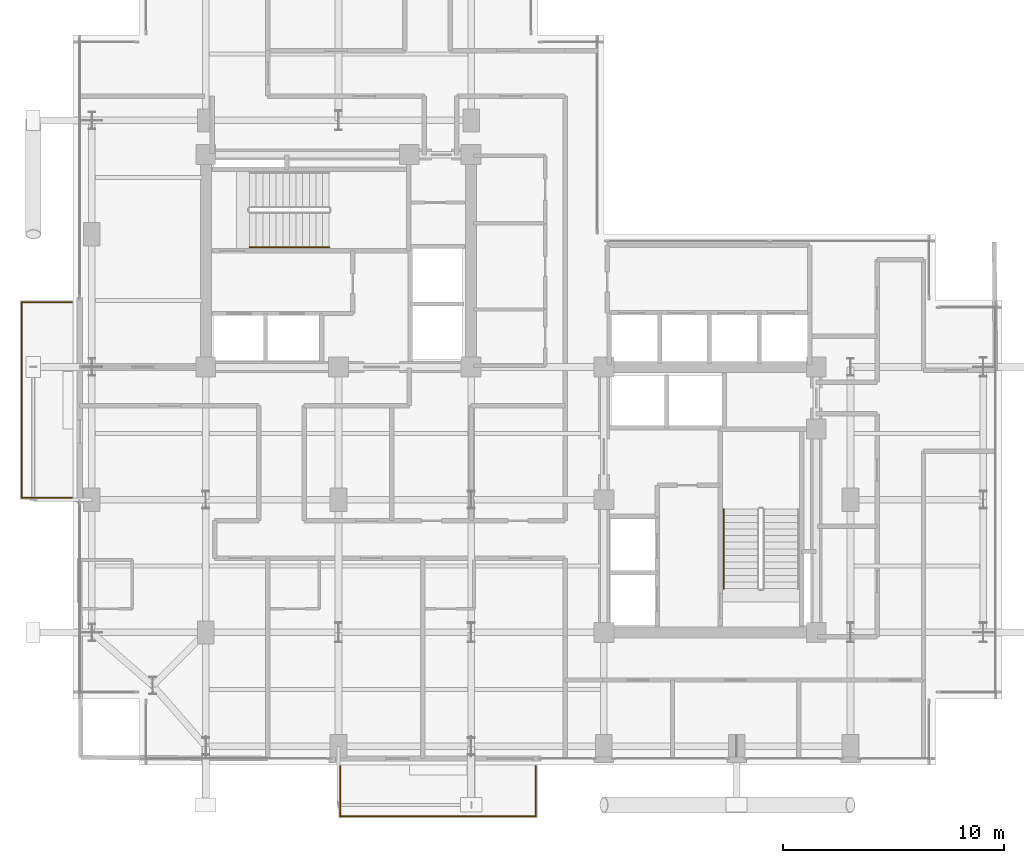
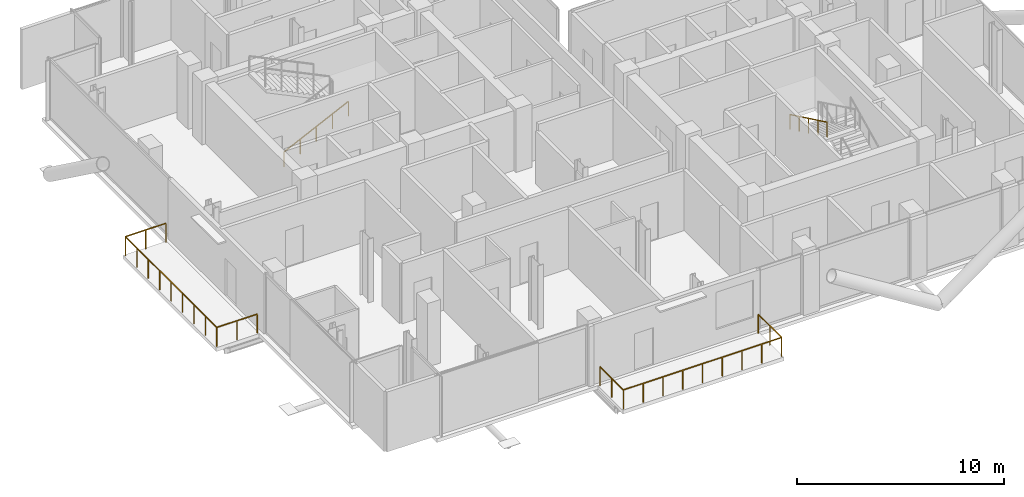
# One storey, part 21 of 22: 4 railings.
"""IFC4 building model written with IfcOpenShell, lengths in metres."""

import ifcopenshell
import ifcopenshell.guid

model = None  # the IFC model being written
_history = None  # IfcOwnerHistory: only IFC2X3 demands one
_inside = {}  # id of a spatial element -> (the spatial element, [elements in it])
_under = {}  # id of a project, library or spatial element -> (it, [spatial elements below it])
_declared = {}  # id of a project -> (the project, [libraries it declares])
_typed = {}  # id of a type object -> (the type object, [elements of that type])
_made_of = {}  # id of a material, layer set ... -> (it, [elements and type objects made of it])


def new_model(schema):
    """Start an empty IFC model of exactly this schema.

    Asked for "IFC4X3", IfcOpenShell would pick the latest addendum, in which some entities
    have other attributes; the version numbers below select the first issue.
    IFC2X3 requires an IfcOwnerHistory on every rooted entity: one is made here for all.
    """
    global model, _history
    if schema == "IFC4X3":
        model = ifcopenshell.file(schema_version=(4, 3, 0, 0))
    else:
        model = ifcopenshell.file(schema=schema)
    _inside.clear()
    _under.clear()
    _declared.clear()
    _typed.clear()
    _made_of.clear()
    _history = None
    if model.schema == "IFC2X3":
        org = make("IfcOrganization", Name="unknown")
        user = make(
            "IfcPersonAndOrganization",
            ThePerson=make("IfcPerson", FamilyName="unknown"),
            TheOrganization=org,
        )
        app = make(
            "IfcApplication",
            ApplicationDeveloper=org,
            Version="unknown",
            ApplicationFullName="unknown",
            ApplicationIdentifier="unknown",
        )
        _history = make(
            "IfcOwnerHistory",
            OwningUser=user,
            OwningApplication=app,
            ChangeAction="ADDED",
            CreationDate=0,
        )
    return model


def make(cls, **values):
    """One entity of the class cls with the attributes given. An attribute that is None is left unset."""
    return model.create_entity(
        cls, **{name: value for name, value in values.items() if value is not None}
    )


def rooted(cls, **values):
    """An entity with a GlobalId (a new one), such as an element, a storey or a relation."""
    return make(cls, GlobalId=ifcopenshell.guid.new(), OwnerHistory=_history, **values)


def si_unit(unit_type, name, prefix=None):
    """IfcSIUnit, for example si_unit("LENGTHUNIT", "METRE", prefix="MILLI")."""
    return make("IfcSIUnit", UnitType=unit_type, Prefix=prefix, Name=name)


def assignment(units):
    """IfcUnitAssignment: the units of a project."""
    return None if units is None else make("IfcUnitAssignment", Units=units)


def point(xyz):
    """IfcCartesianPoint."""
    return None if xyz is None else make("IfcCartesianPoint", Coordinates=xyz)


def direction(xyz):
    """IfcDirection."""
    return None if xyz is None else make("IfcDirection", DirectionRatios=xyz)


def frame(location, z_axis=None, x_axis=None):
    """IfcAxis2Placement3D, a coordinate frame: its origin and axes. An axis left out is left unset."""
    return make(
        "IfcAxis2Placement3D",
        Location=point(location),
        Axis=direction(z_axis),
        RefDirection=direction(x_axis),
    )


def frame_2d(location, x_axis=None):
    """IfcAxis2Placement2D, a coordinate frame in the plane: its origin and x axis."""
    return make(
        "IfcAxis2Placement2D", Location=point(location), RefDirection=direction(x_axis)
    )


def origin():
    """The frame at (0, 0, 0) with its axes left unset."""
    return frame((0.0, 0.0, 0.0))


def origin_2d():
    """The frame at (0, 0) in the plane with its x axis left unset."""
    return frame_2d((0.0, 0.0))


def place(relative_to, where):
    """IfcLocalPlacement: puts the frame where relative to a parent placement (None: the world)."""
    return make(
        "IfcLocalPlacement", PlacementRelTo=relative_to, RelativePlacement=where
    )


def context(
    kind, dimensions, precision=None, world=None, true_north=None, identifier=None
):
    """IfcGeometricRepresentationContext, for example the 3D "Model" context."""
    return make(
        "IfcGeometricRepresentationContext",
        ContextIdentifier=identifier,
        ContextType=kind,
        CoordinateSpaceDimension=dimensions,
        Precision=precision,
        WorldCoordinateSystem=world,
        TrueNorth=true_north,
    )


def subcontext(parent, identifier, kind, view, scale=None):
    """IfcGeometricRepresentationSubContext, for example "Body" below "Model"."""
    return make(
        "IfcGeometricRepresentationSubContext",
        ContextIdentifier=identifier,
        ContextType=kind,
        ParentContext=parent,
        TargetScale=scale,
        TargetView=view,
    )


def project(units=None, contexts=None):
    """IfcProject with its units and contexts."""
    return rooted(
        "IfcProject",
        Name="project",
        RepresentationContexts=contexts,
        UnitsInContext=assignment(units),
    )


def spatial(cls, under=None, at=None, **own):
    """A site, building, storey or space (cls), placed at a placement, below another one or the project."""
    s = rooted(cls, ObjectPlacement=at, **own)
    if under is not None:
        _under.setdefault(under.id(), (under, []))[1].append(s)
    return s


def profile(cls, at=None, kind="AREA", **sizes):
    """A parametric profile (cls). Its sizes go by their IFC names, for example OverallWidth=200.0."""
    return make(cls, ProfileType=kind, Position=at, **sizes)


def rectangle(**sizes):
    """IfcRectangleProfileDef."""
    return profile("IfcRectangleProfileDef", **sizes)


def extrude(swept, where, along, depth):
    """IfcExtrudedAreaSolid: the profile swept, set in the frame where, extruded along a direction by depth."""
    return make(
        "IfcExtrudedAreaSolid",
        SweptArea=swept,
        Position=where,
        ExtrudedDirection=direction(along),
        Depth=depth,
    )


def shape(context_of_items, identifier, shape_type, items):
    """IfcShapeRepresentation: the items that make up one representation, for example the "Body"."""
    return make(
        "IfcShapeRepresentation",
        ContextOfItems=context_of_items,
        RepresentationIdentifier=identifier,
        RepresentationType=shape_type,
        Items=items,
    )


def material(Name=None, Category=None):
    """IfcMaterial."""
    return make("IfcMaterial", Name=Name, Category=Category)


def made_of(thing, what):
    """Note that an element or type object is made of a material, layer set ...; save() writes the relation."""
    if what is not None:
        _made_of.setdefault(what.id(), (what, []))[1].append(thing)
    return thing


def type_object(cls, material=None, **own):
    """A type object (cls), such as IfcWallType, which elements share."""
    return made_of(rooted(cls, **own), material)


def element(
    cls,
    number,
    at=None,
    inside=None,
    cuts=None,
    type_object=None,
    material=None,
    context=None,
    identifier="Body",
    shape_type=None,
    held_by="IfcProductDefinitionShape",
    body=None,
    shapes=None,
    **own,
):
    """One element of the class cls, such as IfcWall. Its Tag is "e" and its number.

    at: its placement. inside: the storey or other place that contains it. cuts: it is an
    opening in that element (IfcRelVoidsElement). A single representation is given by context,
    identifier, shape_type and body (its items); several are given by shapes. held_by: the class
    of the entity that holds the representations. save() writes the other relations.
    """
    e = rooted(cls, Tag="e%d" % number, ObjectPlacement=at, **own)
    if body is not None:
        shapes = [shape(context, identifier, shape_type, body)]
    if shapes is not None:
        e.Representation = make(held_by, Representations=shapes)
    if inside is not None:
        _inside.setdefault(inside.id(), (inside, []))[1].append(e)
    if cuts is not None:
        rooted(
            "IfcRelVoidsElement", RelatingBuildingElement=cuts, RelatedOpeningElement=e
        )
    if type_object is not None:
        _typed.setdefault(type_object.id(), (type_object, []))[1].append(e)
    return made_of(e, material)


def aggregate(whole, parts):
    """IfcRelAggregates: a whole, such as a stair, and the parts it consists of."""
    return rooted("IfcRelAggregates", RelatingObject=whole, RelatedObjects=parts)


def save(model, path):
    """Write the relations noted so far, then the file.

    IfcRelAggregates (storeys below a building ...), IfcRelContainedInSpatialStructure (elements
    in a storey), IfcRelDefinesByType, IfcRelAssociatesMaterial and IfcRelDeclares: one each for
    every whole, place, type object, material and project.
    """
    for whole, parts in _under.values():
        aggregate(whole, parts)
    for where, things in _inside.values():
        rooted(
            "IfcRelContainedInSpatialStructure",
            RelatedElements=things,
            RelatingStructure=where,
        )
    for kind, things in _typed.values():
        rooted("IfcRelDefinesByType", RelatedObjects=things, RelatingType=kind)
    for what, things in _made_of.values():
        rooted("IfcRelAssociatesMaterial", RelatedObjects=things, RelatingMaterial=what)
    for by, libraries in _declared.values():
        rooted("IfcRelDeclares", RelatingContext=by, RelatedDefinitions=libraries)
    model.write(path)


model = new_model("IFC4")

# Units and contexts
model_context = context("Model", 3, precision=1e-05, world=origin(), true_north=direction((0.0, 1.0)))
body_context = subcontext(model_context, "Body", "Model", "MODEL_VIEW")
ifc_project = project(units=[si_unit("LENGTHUNIT", "METRE"), si_unit("AREAUNIT", "SQUARE_METRE"), si_unit("VOLUMEUNIT", "CUBIC_METRE"), si_unit("PLANEANGLEUNIT", "RADIAN"), si_unit("MASSUNIT", "GRAM", prefix="KILO"), si_unit("THERMODYNAMICTEMPERATUREUNIT", "KELVIN"), si_unit("POWERUNIT", "WATT")], contexts=[model_context])

# Site, building, storey
site_placement = place(None, origin())
site = spatial("IfcSite", under=ifc_project, at=site_placement, CompositionType="ELEMENT")
building_placement = place(site_placement, origin())
building = spatial("IfcBuilding", under=site, at=building_placement, Name="Svarakhadi Broadcast Tower", CompositionType="ELEMENT")
storey_placement = place(building_placement, frame((0.0, 0.0, 172.949951171875)))
storey = spatial("IfcBuildingStorey", under=building, at=storey_placement, Name="L42", CompositionType="ELEMENT", Elevation=172.949951171875)

# Railings
ifc_material_1 = material(Name="Laminated Structural SentryGlas Balustrade 25.5 mm", Category="glass")
railing_type_1 = type_object("IfcRailingType", Name="Guard_Balcony_GR01", PredefinedType="BALUSTRADE", material=ifc_material_1)
railing_1_placement = place(storey_placement, frame((12.080078125, -0.06005859375, 0.0)))
element("IfcRailing", 1, at=railing_1_placement, inside=storey, type_object=railing_type_1, Name="L42 South Tree Balcony Guard GR-05", PredefinedType="BALUSTRADE", context=body_context, shape_type="SweptSolid", body=[
    extrude(rectangle(XDim=0.048095703125, YDim=0.048095703125, at=origin_2d()), frame((0.0, 0.0, 1.1259765625), z_axis=(0.0, -1.0, 0.0), x_axis=(1.0, 0.0, 0.0)), (0.0, 0.0, 1.0), 2.260009765625),
    extrude(rectangle(XDim=0.048095703125, YDim=0.048095703125, at=origin_2d()), frame((0.0, -2.260009765625, 1.1259765625), z_axis=(1.0, 0.0, 0.0), x_axis=(0.0, 1.0, 0.0)), (0.0, 0.0, 1.0), 8.83984375),
    extrude(rectangle(XDim=0.048095703125, YDim=0.048095703125, at=origin_2d()), frame((8.83984375, -2.260009765625, 1.1259765625), z_axis=(0.0, 1.0, 0.0), x_axis=(-1.0, 0.0, 0.0)), (0.0, 0.0, 1.0), 2.260009765625),
    extrude(rectangle(XDim=0.0419921875, YDim=0.0419921875, at=origin_2d()), origin(), (0.0, 0.0, 1.0), 1.101806640625),
    extrude(rectangle(XDim=0.0419921875, YDim=0.0419921875, at=origin_2d()), frame((0.0, -1.1298828125, 0.0)), (0.0, 0.0, 1.0), 1.101806640625),
    extrude(rectangle(XDim=0.0419921875, YDim=0.0419921875, at=origin_2d()), frame((0.0, -2.260009765625, 0.0)), (0.0, 0.0, 1.0), 1.101806640625),
    extrude(rectangle(XDim=0.0419921875, YDim=0.0419921875, at=origin_2d()), frame((1.10498046875, -2.260009765625, 0.0)), (0.0, 0.0, 1.0), 1.101806640625),
    extrude(rectangle(XDim=0.0419921875, YDim=0.0419921875, at=origin_2d()), frame((2.2099609375, -2.260009765625, 0.0)), (0.0, 0.0, 1.0), 1.101806640625),
    extrude(rectangle(XDim=0.0419921875, YDim=0.0419921875, at=origin_2d()), frame((3.31494140625, -2.260009765625, 0.0)), (0.0, 0.0, 1.0), 1.101806640625),
    extrude(rectangle(XDim=0.0419921875, YDim=0.0419921875, at=origin_2d()), frame((4.419921875, -2.260009765625, 0.0)), (0.0, 0.0, 1.0), 1.101806640625),
    extrude(rectangle(XDim=0.0419921875, YDim=0.0419921875, at=origin_2d()), frame((5.52490234375, -2.260009765625, 0.0)), (0.0, 0.0, 1.0), 1.101806640625),
    extrude(rectangle(XDim=0.0419921875, YDim=0.0419921875, at=origin_2d()), frame((6.6298828125, -2.260009765625, 0.0)), (0.0, 0.0, 1.0), 1.101806640625),
    extrude(rectangle(XDim=0.0419921875, YDim=0.0419921875, at=origin_2d()), frame((7.73486328125, -2.260009765625, 0.0)), (0.0, 0.0, 1.0), 1.101806640625),
    extrude(rectangle(XDim=0.0419921875, YDim=0.0419921875, at=origin_2d()), frame((8.83984375, -2.260009765625, 0.0)), (0.0, 0.0, 1.0), 1.101806640625),
    extrude(rectangle(XDim=0.0419921875, YDim=0.0419921875, at=origin_2d()), frame((8.83984375, -1.1298828125, 0.0)), (0.0, 0.0, 1.0), 1.101806640625),
    extrude(rectangle(XDim=0.0419921875, YDim=0.0419921875, at=origin_2d()), frame((8.83984375, 0.0, 0.0)), (0.0, 0.0, 1.0), 1.101806640625),
])
railing_2_placement = place(storey_placement, frame((-0.06005859375, 12.080078125, 0.0)))
element("IfcRailing", 2, at=railing_2_placement, inside=storey, type_object=railing_type_1, Name="L42 West Tree Balcony Guard GR-05", PredefinedType="BALUSTRADE", context=body_context, shape_type="SweptSolid", body=[
    extrude(rectangle(XDim=0.048095703125, YDim=0.048095703125, at=origin_2d()), frame((0.0, 0.0, 1.1259765625), z_axis=(-1.0, 0.0, 0.0), x_axis=(0.0, -1.0, 0.0)), (0.0, 0.0, 1.0), 2.260009765625),
    extrude(rectangle(XDim=0.048095703125, YDim=0.048095703125, at=origin_2d()), frame((-2.260009765625, 0.0, 1.1259765625), z_axis=(0.0, 1.0, 0.0), x_axis=(-1.0, 0.0, 0.0)), (0.0, 0.0, 1.0), 8.83984375),
    extrude(rectangle(XDim=0.048095703125, YDim=0.048095703125, at=origin_2d()), frame((-2.260009765625, 8.83984375, 1.1259765625), z_axis=(1.0, 0.0, 0.0), x_axis=(0.0, 1.0, 0.0)), (0.0, 0.0, 1.0), 2.260009765625),
    extrude(rectangle(XDim=0.0419921875, YDim=0.0419921875, at=origin_2d()), origin(), (0.0, 0.0, 1.0), 1.101806640625),
    extrude(rectangle(XDim=0.0419921875, YDim=0.0419921875, at=origin_2d()), frame((-1.1298828125, 0.0, 0.0)), (0.0, 0.0, 1.0), 1.101806640625),
    extrude(rectangle(XDim=0.0419921875, YDim=0.0419921875, at=origin_2d()), frame((-2.260009765625, 0.0, 0.0)), (0.0, 0.0, 1.0), 1.101806640625),
    extrude(rectangle(XDim=0.0419921875, YDim=0.0419921875, at=origin_2d()), frame((-2.260009765625, 1.10498046875, 0.0)), (0.0, 0.0, 1.0), 1.101806640625),
    extrude(rectangle(XDim=0.0419921875, YDim=0.0419921875, at=origin_2d()), frame((-2.260009765625, 2.2099609375, 0.0)), (0.0, 0.0, 1.0), 1.101806640625),
    extrude(rectangle(XDim=0.0419921875, YDim=0.0419921875, at=origin_2d()), frame((-2.260009765625, 3.31494140625, 0.0)), (0.0, 0.0, 1.0), 1.101806640625),
    extrude(rectangle(XDim=0.0419921875, YDim=0.0419921875, at=origin_2d()), frame((-2.260009765625, 4.419921875, 0.0)), (0.0, 0.0, 1.0), 1.101806640625),
    extrude(rectangle(XDim=0.0419921875, YDim=0.0419921875, at=origin_2d()), frame((-2.260009765625, 5.52490234375, 0.0)), (0.0, 0.0, 1.0), 1.101806640625),
    extrude(rectangle(XDim=0.0419921875, YDim=0.0419921875, at=origin_2d()), frame((-2.260009765625, 6.6298828125, 0.0)), (0.0, 0.0, 1.0), 1.101806640625),
    extrude(rectangle(XDim=0.0419921875, YDim=0.0419921875, at=origin_2d()), frame((-2.260009765625, 7.73486328125, 0.0)), (0.0, 0.0, 1.0), 1.101806640625),
    extrude(rectangle(XDim=0.0419921875, YDim=0.0419921875, at=origin_2d()), frame((-2.260009765625, 8.83984375, 0.0)), (0.0, 0.0, 1.0), 1.101806640625),
    extrude(rectangle(XDim=0.0419921875, YDim=0.0419921875, at=origin_2d()), frame((-1.1298828125, 8.83984375, 0.0)), (0.0, 0.0, 1.0), 1.101806640625),
    extrude(rectangle(XDim=0.0419921875, YDim=0.0419921875, at=origin_2d()), frame((0.0, 8.83984375, 0.0)), (0.0, 0.0, 1.0), 1.101806640625),
])
ifc_material_2 = material(Name="Anodised Bronze Aluminium AA 6063-T6", Category="aluminium")
railing_type_2 = type_object("IfcRailingType", Name="Handrail_Stair_HR01", PredefinedType="HANDRAIL", material=ifc_material_2)
railing_3_placement = place(storey_placement, frame((7.97998046875, 23.409912109375, 0.144287109375)))
element("IfcRailing", 3, at=railing_3_placement, inside=storey, type_object=railing_type_2, Name="L42 ST-01 stair handrail 1", PredefinedType="HANDRAIL", context=body_context, shape_type="SweptSolid", body=[
    extrude(rectangle(XDim=0.048095703125, YDim=0.048095703125, at=origin_2d()), frame((0.0, 0.0, 0.8759765625), z_axis=(0.901262522062, 0.0, 0.433273431364), x_axis=(0.0, 1.0, 0.0)), (0.0, 0.0, 1.0), 3.994384765625),
    extrude(rectangle(XDim=0.0419921875, YDim=0.0419921875, at=origin_2d()), origin(), (0.0, 0.0, 1.0), 0.851806640625),
    extrude(rectangle(XDim=0.0419921875, YDim=0.0419921875, at=origin_2d()), frame((0.89990234375, 0.0, 0.4326171875)), (0.0, 0.0, 1.0), 0.851806640625),
    extrude(rectangle(XDim=0.0419921875, YDim=0.0419921875, at=origin_2d()), frame((1.800048828125, 0.0, 0.865234375)), (0.0, 0.0, 1.0), 0.851806640625),
    extrude(rectangle(XDim=0.0419921875, YDim=0.0419921875, at=origin_2d()), frame((2.7001953125, 0.0, 1.298095703125)), (0.0, 0.0, 1.0), 0.851806640625),
    extrude(rectangle(XDim=0.0419921875, YDim=0.0419921875, at=origin_2d()), frame((3.60009765625, 0.0, 1.730712890625)), (0.0, 0.0, 1.0), 0.851806640625),
])
railing_4_placement = place(storey_placement, frame((29.409912109375, 11.580078125, 2.019287109375)))
element("IfcRailing", 4, at=railing_4_placement, inside=storey, type_object=railing_type_2, Name="L42 ST-02 stair handrail 2", PredefinedType="HANDRAIL", context=body_context, shape_type="SweptSolid", body=[
    extrude(rectangle(XDim=0.048095703125, YDim=0.048095703125, at=origin_2d()), frame((0.0, 0.0, 0.8759765625), z_axis=(0.0, -0.901262522062, 0.433273431364), x_axis=(1.0, 0.0, 0.0)), (0.0, 0.0, 1.0), 3.994384765625),
    extrude(rectangle(XDim=0.0419921875, YDim=0.0419921875, at=origin_2d()), origin(), (0.0, 0.0, 1.0), 0.851806640625),
    extrude(rectangle(XDim=0.0419921875, YDim=0.0419921875, at=origin_2d()), frame((0.0, -0.89990234375, 0.4326171875)), (0.0, 0.0, 1.0), 0.851806640625),
    extrude(rectangle(XDim=0.0419921875, YDim=0.0419921875, at=origin_2d()), frame((0.0, -1.800048828125, 0.865234375)), (0.0, 0.0, 1.0), 0.851806640625),
    extrude(rectangle(XDim=0.0419921875, YDim=0.0419921875, at=origin_2d()), frame((0.0, -2.7001953125, 1.298095703125)), (0.0, 0.0, 1.0), 0.851806640625),
    extrude(rectangle(XDim=0.0419921875, YDim=0.0419921875, at=origin_2d()), frame((0.0, -3.60009765625, 1.730712890625)), (0.0, 0.0, 1.0), 0.851806640625),
])

save(model, "model.ifc")
